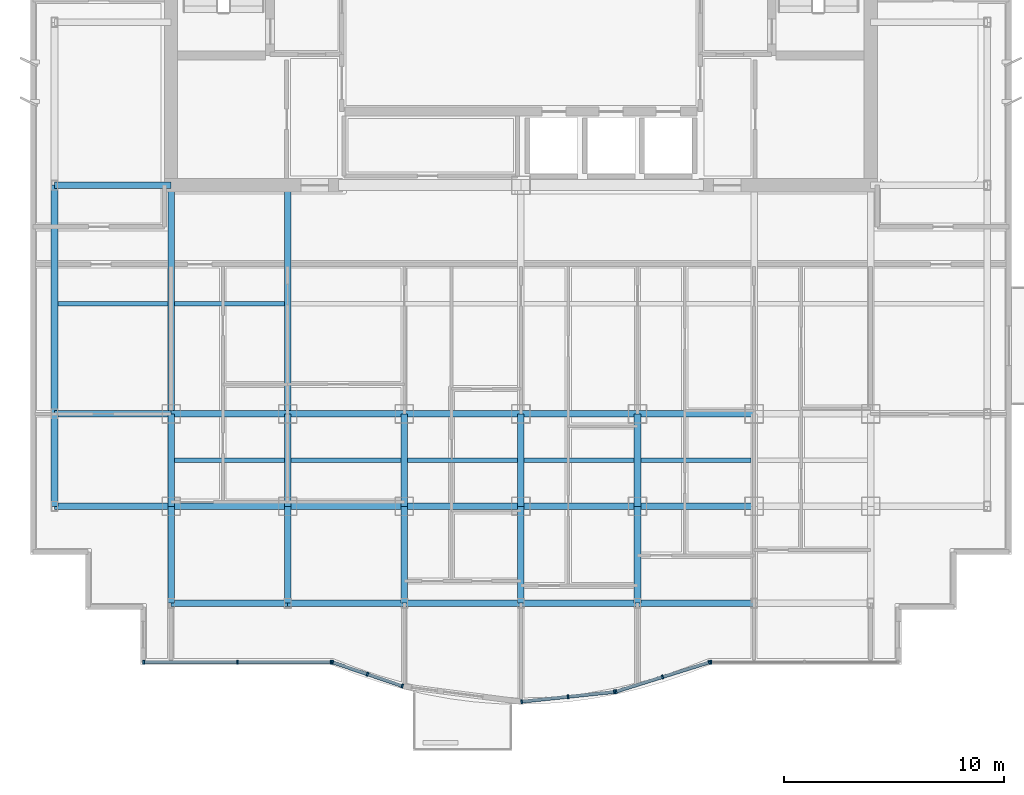
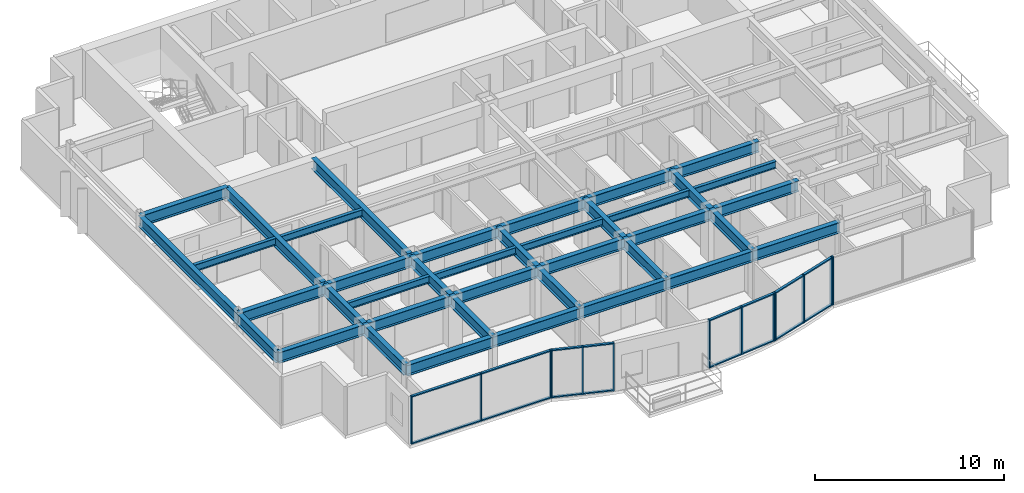
# One storey, part 2 of 11: 39 beams, 29 members, 5 elements without a shape of their own.
"""IFC4 building model written with IfcOpenShell, lengths in metres."""

from ifc_helpers import new_model, si_unit, direction, frame, origin, origin_2d, place, context, subcontext, project, spatial, rectangle, i_section, extrude, source, transform, mapped, material, layer, layer_set, material_profile, profile_set, type_object, element, aggregate, save


model = new_model("IFC4")

# Units and contexts
model_context = context("Model", 3, precision=1e-05, world=origin(), true_north=direction((0.0, 1.0)))
body_context = subcontext(model_context, "Body", "Model", "MODEL_VIEW")
ifc_project = project(units=[si_unit("LENGTHUNIT", "METRE"), si_unit("AREAUNIT", "SQUARE_METRE"), si_unit("VOLUMEUNIT", "CUBIC_METRE"), si_unit("PLANEANGLEUNIT", "RADIAN"), si_unit("MASSUNIT", "GRAM", prefix="KILO")], contexts=[model_context])

# Site, building, storey
site_placement = place(None, origin())
site = spatial("IfcSite", under=ifc_project, at=site_placement, CompositionType="ELEMENT")
building_placement = place(site_placement, origin())
building = spatial("IfcBuilding", under=site, at=building_placement, Name="Qianlan Lanfeng Residences", CompositionType="ELEMENT")
storey_placement = place(building_placement, frame((0.0, 0.0, 168.89990234375)))
storey = spatial("IfcBuildingStorey", under=building, at=storey_placement, Name="L46", CompositionType="ELEMENT", Elevation=168.89990234375)

# Beams
ifc_material_1 = material(Name="Steel SN490B", Category="steel")
ifc_material_profile_1 = material_profile(ifc_material_1, i_section(OverallWidth=0.300048828125, OverallDepth=0.699951171875, WebThickness=0.012939453125, FlangeThickness=0.02392578125, at=origin_2d()), Name="H 700x300x13x24")
ifc_profile_set_1 = profile_set([ifc_material_profile_1], Name="Steel SN490B")
beam_type_1 = type_object("IfcBeamType", Name="G-750", PredefinedType="BEAM", material=ifc_profile_set_1)
beam_1_placement = place(storey_placement, frame((5.300048828125, 10.60009765625, 2.75), z_axis=(1.0, 0.0, 0.0), x_axis=(0.0, 1.0, 0.0)))
element("IfcBeam", 1, at=beam_1_placement, inside=storey, type_object=beam_type_1, Name="Structural beam G-750", PredefinedType="BEAM", context=body_context, shape_type="SweptSolid", body=[
    extrude(i_section(OverallWidth=0.300048828125, OverallDepth=0.699951171875, WebThickness=0.012939453125, FlangeThickness=0.02392578125, at=origin_2d()), origin(), (0.0, 0.0, 1.0), 5.300048828125),
])
beam_2_placement = place(storey_placement, frame((10.60009765625, 10.60009765625, 2.75), z_axis=(1.0, 0.0, 0.0), x_axis=(0.0, 1.0, 0.0)))
element("IfcBeam", 2, at=beam_2_placement, inside=storey, type_object=beam_type_1, Name="Structural beam G-750", PredefinedType="BEAM", context=body_context, shape_type="SweptSolid", body=[
    extrude(i_section(OverallWidth=0.300048828125, OverallDepth=0.699951171875, WebThickness=0.012939453125, FlangeThickness=0.02392578125, at=origin_2d()), origin(), (0.0, 0.0, 1.0), 5.2998046875),
])
for number, where, z_axis, x_axis, name in (
    (3, (15.89990234375, 10.60009765625, 2.75), (1.0, 0.0, 0.0), (0.0, 1.0, 0.0), "Structural beam G-750"),
    (4, (21.199951171875, 10.60009765625, 2.75), (1.0, 0.0, 0.0), (0.0, 1.0, 0.0), "Structural beam G-750"),
    (5, (26.5, 10.60009765625, 2.75), (1.0, 0.0, 0.0), (0.0, 1.0, 0.0), "Structural beam G-750"),
    (6, (31.800048828125, 10.60009765625, 2.75), (1.0, 0.0, 0.0), (0.0, 1.0, 0.0), "Structural beam G-750"),
    (7, (5.300048828125, 14.800048828125, 2.75), (1.0, 0.0, 0.0), (0.0, 1.0, 0.0), "Structural beam G-750"),
):
    element("IfcBeam", number, at=place(storey_placement, frame(where, z_axis=z_axis, x_axis=x_axis)), inside=storey, type_object=beam_type_1, Name=name, PredefinedType="BEAM", context=body_context, shape_type="SweptSolid", body=[
        extrude(i_section(OverallWidth=0.300048828125, OverallDepth=0.699951171875, WebThickness=0.012939453125, FlangeThickness=0.02392578125, at=origin_2d()), origin(), (0.0, 0.0, 1.0), 5.300048828125),
    ])
beam_3_placement = place(storey_placement, frame((10.60009765625, 14.800048828125, 2.75), z_axis=(1.0, 0.0, 0.0), x_axis=(0.0, 1.0, 0.0)))
element("IfcBeam", 8, at=beam_3_placement, inside=storey, type_object=beam_type_1, Name="Structural beam G-750", PredefinedType="BEAM", context=body_context, shape_type="SweptSolid", body=[
    extrude(i_section(OverallWidth=0.300048828125, OverallDepth=0.699951171875, WebThickness=0.012939453125, FlangeThickness=0.02392578125, at=origin_2d()), origin(), (0.0, 0.0, 1.0), 5.2998046875),
])
for number, where, z_axis, x_axis, name in (
    (9, (15.89990234375, 14.800048828125, 2.75), (1.0, 0.0, 0.0), (0.0, 1.0, 0.0), "Structural beam G-750"),
    (10, (21.199951171875, 14.800048828125, 2.75), (1.0, 0.0, 0.0), (0.0, 1.0, 0.0), "Structural beam G-750"),
    (11, (26.5, 14.800048828125, 2.75), (1.0, 0.0, 0.0), (0.0, 1.0, 0.0), "Structural beam G-750"),
    (12, (31.800048828125, 14.800048828125, 2.75), (1.0, 0.0, 0.0), (0.0, 1.0, 0.0), "Structural beam G-750"),
    (13, (5.300048828125, 25.199951171875, 2.75), (1.0, 0.0, 0.0), (0.0, 1.0, 0.0), "Structural beam G-750"),
):
    element("IfcBeam", number, at=place(storey_placement, frame(where, z_axis=z_axis, x_axis=x_axis)), inside=storey, type_object=beam_type_1, Name=name, PredefinedType="BEAM", context=body_context, shape_type="SweptSolid", body=[
        extrude(i_section(OverallWidth=0.300048828125, OverallDepth=0.699951171875, WebThickness=0.012939453125, FlangeThickness=0.02392578125, at=origin_2d()), origin(), (0.0, 0.0, 1.0), 5.300048828125),
    ])
beam_4_placement = place(storey_placement, frame((10.60009765625, 6.199951171875, 2.75), z_axis=(0.0, 1.0, 0.0), x_axis=(-1.0, 0.0, 0.0)))
element("IfcBeam", 14, at=beam_4_placement, inside=storey, type_object=beam_type_1, Name="Structural beam G-750", PredefinedType="BEAM", context=body_context, shape_type="SweptSolid", body=[
    extrude(i_section(OverallWidth=0.300048828125, OverallDepth=0.699951171875, WebThickness=0.012939453125, FlangeThickness=0.02392578125, at=origin_2d()), origin(), (0.0, 0.0, 1.0), 4.400146484375),
])
beam_5_placement = place(storey_placement, frame((10.60009765625, 10.60009765625, 2.75), z_axis=(0.0, 1.0, 0.0), x_axis=(-1.0, 0.0, 0.0)))
element("IfcBeam", 15, at=beam_5_placement, inside=storey, type_object=beam_type_1, Name="Structural beam G-750", PredefinedType="BEAM", context=body_context, shape_type="SweptSolid", body=[
    extrude(i_section(OverallWidth=0.300048828125, OverallDepth=0.699951171875, WebThickness=0.012939453125, FlangeThickness=0.02392578125, at=origin_2d()), origin(), (0.0, 0.0, 1.0), 4.199951171875),
])
beam_6_placement = place(storey_placement, frame((10.60009765625, 14.800048828125, 2.75), z_axis=(0.0, 1.0, 0.0), x_axis=(-1.0, 0.0, 0.0)))
element("IfcBeam", 16, at=beam_6_placement, inside=storey, type_object=beam_type_1, Name="Structural beam G-750", PredefinedType="BEAM", context=body_context, shape_type="SweptSolid", body=[
    extrude(i_section(OverallWidth=0.300048828125, OverallDepth=0.699951171875, WebThickness=0.012939453125, FlangeThickness=0.02392578125, at=origin_2d()), origin(), (0.0, 0.0, 1.0), 10.39990234375),
])
beam_7_placement = place(storey_placement, frame((15.89990234375, 6.199951171875, 2.75), z_axis=(0.0, 1.0, 0.0), x_axis=(-1.0, 0.0, 0.0)))
element("IfcBeam", 17, at=beam_7_placement, inside=storey, type_object=beam_type_1, Name="Structural beam G-750", PredefinedType="BEAM", context=body_context, shape_type="SweptSolid", body=[
    extrude(i_section(OverallWidth=0.300048828125, OverallDepth=0.699951171875, WebThickness=0.012939453125, FlangeThickness=0.02392578125, at=origin_2d()), origin(), (0.0, 0.0, 1.0), 4.400146484375),
])
beam_8_placement = place(storey_placement, frame((15.89990234375, 10.60009765625, 2.75), z_axis=(0.0, 1.0, 0.0), x_axis=(-1.0, 0.0, 0.0)))
element("IfcBeam", 18, at=beam_8_placement, inside=storey, type_object=beam_type_1, Name="Structural beam G-750", PredefinedType="BEAM", context=body_context, shape_type="SweptSolid", body=[
    extrude(i_section(OverallWidth=0.300048828125, OverallDepth=0.699951171875, WebThickness=0.012939453125, FlangeThickness=0.02392578125, at=origin_2d()), origin(), (0.0, 0.0, 1.0), 4.199951171875),
])
beam_9_placement = place(storey_placement, frame((15.89990234375, 14.800048828125, 2.75), z_axis=(0.0, 1.0, 0.0), x_axis=(-1.0, 0.0, 0.0)))
element("IfcBeam", 19, at=beam_9_placement, inside=storey, type_object=beam_type_1, Name="Structural beam G-750", PredefinedType="BEAM", context=body_context, shape_type="SweptSolid", body=[
    extrude(i_section(OverallWidth=0.300048828125, OverallDepth=0.699951171875, WebThickness=0.012939453125, FlangeThickness=0.02392578125, at=origin_2d()), origin(), (0.0, 0.0, 1.0), 10.39990234375),
])
beam_10_placement = place(storey_placement, frame((21.199951171875, 6.199951171875, 2.75), z_axis=(0.0, 1.0, 0.0), x_axis=(-1.0, 0.0, 0.0)))
element("IfcBeam", 20, at=beam_10_placement, inside=storey, type_object=beam_type_1, Name="Structural beam G-750", PredefinedType="BEAM", context=body_context, shape_type="SweptSolid", body=[
    extrude(i_section(OverallWidth=0.300048828125, OverallDepth=0.699951171875, WebThickness=0.012939453125, FlangeThickness=0.02392578125, at=origin_2d()), origin(), (0.0, 0.0, 1.0), 4.400146484375),
])
beam_11_placement = place(storey_placement, frame((21.199951171875, 10.60009765625, 2.75), z_axis=(0.0, 1.0, 0.0), x_axis=(-1.0, 0.0, 0.0)))
element("IfcBeam", 21, at=beam_11_placement, inside=storey, type_object=beam_type_1, Name="Structural beam G-750", PredefinedType="BEAM", context=body_context, shape_type="SweptSolid", body=[
    extrude(i_section(OverallWidth=0.300048828125, OverallDepth=0.699951171875, WebThickness=0.012939453125, FlangeThickness=0.02392578125, at=origin_2d()), origin(), (0.0, 0.0, 1.0), 4.199951171875),
])
beam_12_placement = place(storey_placement, frame((26.5, 6.199951171875, 2.75), z_axis=(0.0, 1.0, 0.0), x_axis=(-1.0, 0.0, 0.0)))
element("IfcBeam", 22, at=beam_12_placement, inside=storey, type_object=beam_type_1, Name="Structural beam G-750", PredefinedType="BEAM", context=body_context, shape_type="SweptSolid", body=[
    extrude(i_section(OverallWidth=0.300048828125, OverallDepth=0.699951171875, WebThickness=0.012939453125, FlangeThickness=0.02392578125, at=origin_2d()), origin(), (0.0, 0.0, 1.0), 4.400146484375),
])
beam_13_placement = place(storey_placement, frame((26.5, 10.60009765625, 2.75), z_axis=(0.0, 1.0, 0.0), x_axis=(-1.0, 0.0, 0.0)))
element("IfcBeam", 23, at=beam_13_placement, inside=storey, type_object=beam_type_1, Name="Structural beam G-750", PredefinedType="BEAM", context=body_context, shape_type="SweptSolid", body=[
    extrude(i_section(OverallWidth=0.300048828125, OverallDepth=0.699951171875, WebThickness=0.012939453125, FlangeThickness=0.02392578125, at=origin_2d()), origin(), (0.0, 0.0, 1.0), 4.199951171875),
])
beam_14_placement = place(storey_placement, frame((31.800048828125, 6.199951171875, 2.75), z_axis=(0.0, 1.0, 0.0), x_axis=(-1.0, 0.0, 0.0)))
element("IfcBeam", 24, at=beam_14_placement, inside=storey, type_object=beam_type_1, Name="Structural beam G-750", PredefinedType="BEAM", context=body_context, shape_type="SweptSolid", body=[
    extrude(i_section(OverallWidth=0.300048828125, OverallDepth=0.699951171875, WebThickness=0.012939453125, FlangeThickness=0.02392578125, at=origin_2d()), origin(), (0.0, 0.0, 1.0), 4.400146484375),
])
beam_15_placement = place(storey_placement, frame((31.800048828125, 10.60009765625, 2.75), z_axis=(0.0, 1.0, 0.0), x_axis=(-1.0, 0.0, 0.0)))
element("IfcBeam", 25, at=beam_15_placement, inside=storey, type_object=beam_type_1, Name="Structural beam G-750", PredefinedType="BEAM", context=body_context, shape_type="SweptSolid", body=[
    extrude(i_section(OverallWidth=0.300048828125, OverallDepth=0.699951171875, WebThickness=0.012939453125, FlangeThickness=0.02392578125, at=origin_2d()), origin(), (0.0, 0.0, 1.0), 4.199951171875),
])
ifc_material_profile_2 = material_profile(ifc_material_1, i_section(OverallWidth=0.199951171875, OverallDepth=0.449951171875, WebThickness=0.009033203125, FlangeThickness=0.013916015625, at=origin_2d()), Name="H 450x200x9x14")
ifc_profile_set_2 = profile_set([ifc_material_profile_2], Name="Steel SN490B")
beam_type_2 = type_object("IfcBeamType", Name="J-450", PredefinedType="JOIST", material=ifc_profile_set_2)
for number, where, z_axis, x_axis, name in (
    (26, (10.75, 12.699951171875, 2.875), (1.0, 0.0, 0.0), (0.0, 1.0, 0.0), "Structural beam J-450"),
    (27, (16.050048828125, 12.699951171875, 2.875), (1.0, 0.0, 0.0), (0.0, 1.0, 0.0), "Structural beam J-450"),
    (28, (21.35009765625, 12.699951171875, 2.875), (1.0, 0.0, 0.0), (0.0, 1.0, 0.0), "Structural beam J-450"),
    (29, (26.64990234375, 12.699951171875, 2.875), (1.0, 0.0, 0.0), (0.0, 1.0, 0.0), "Structural beam J-450"),
    (30, (31.949951171875, 12.699951171875, 2.875), (1.0, 0.0, 0.0), (0.0, 1.0, 0.0), "Structural beam J-450"),
    (31, (5.449951171875, 19.800048828125, 2.875), (1.0, 0.0, 0.0), (0.0, 1.0, 0.0), "Structural beam J-450"),
    (32, (10.75, 19.800048828125, 2.875), (1.0, 0.0, 0.0), (0.0, 1.0, 0.0), "Structural beam J-450"),
):
    element("IfcBeam", number, at=place(storey_placement, frame(where, z_axis=z_axis, x_axis=x_axis)), inside=storey, type_object=beam_type_2, Name=name, PredefinedType="JOIST", context=body_context, shape_type="SweptSolid", body=[
        extrude(i_section(OverallWidth=0.199951171875, OverallDepth=0.449951171875, WebThickness=0.009033203125, FlangeThickness=0.013916015625, at=origin_2d()), origin(), (0.0, 0.0, 1.0), 5.0),
    ])
ifc_material_profile_3 = material_profile(ifc_material_1, i_section(OverallWidth=0.300048828125, OverallDepth=0.699951171875, WebThickness=0.012939453125, FlangeThickness=0.02392578125, at=origin_2d()), Name="H 700x300x13x24")
ifc_profile_set_3 = profile_set([ifc_material_profile_3], Name="Steel SN490B")
beam_type_3 = type_object("IfcBeamType", Name="SG-750", PredefinedType="SPANDREL", material=ifc_profile_set_3)
beam_16_placement = place(storey_placement, frame((10.60009765625, 6.199951171875, 2.739990234375), z_axis=(1.0, 0.0, 0.0), x_axis=(0.0, 1.0, 0.0)))
element("IfcBeam", 33, at=beam_16_placement, inside=storey, type_object=beam_type_3, Name="Structural beam SG-750", PredefinedType="SPANDREL", context=body_context, shape_type="SweptSolid", body=[
    extrude(i_section(OverallWidth=0.300048828125, OverallDepth=0.699951171875, WebThickness=0.012939453125, FlangeThickness=0.02392578125, at=origin_2d()), origin(), (0.0, 0.0, 1.0), 5.2998046875),
])
for number, where, z_axis, x_axis, name in (
    (34, (15.89990234375, 6.199951171875, 2.739990234375), (1.0, 0.0, 0.0), (0.0, 1.0, 0.0), "Structural beam SG-750"),
    (35, (21.199951171875, 6.199951171875, 2.739990234375), (1.0, 0.0, 0.0), (0.0, 1.0, 0.0), "Structural beam SG-750"),
    (36, (26.5, 6.199951171875, 2.739990234375), (1.0, 0.0, 0.0), (0.0, 1.0, 0.0), "Structural beam SG-750"),
    (37, (31.800048828125, 6.199951171875, 2.739990234375), (1.0, 0.0, 0.0), (0.0, 1.0, 0.0), "Structural beam SG-750"),
):
    element("IfcBeam", number, at=place(storey_placement, frame(where, z_axis=z_axis, x_axis=x_axis)), inside=storey, type_object=beam_type_3, Name=name, PredefinedType="SPANDREL", context=body_context, shape_type="SweptSolid", body=[
        extrude(i_section(OverallWidth=0.300048828125, OverallDepth=0.699951171875, WebThickness=0.012939453125, FlangeThickness=0.02392578125, at=origin_2d()), origin(), (0.0, 0.0, 1.0), 5.300048828125),
    ])
beam_17_placement = place(storey_placement, frame((5.300048828125, 10.60009765625, 2.739990234375), z_axis=(0.0, 1.0, 0.0), x_axis=(-1.0, 0.0, 0.0)))
element("IfcBeam", 38, at=beam_17_placement, inside=storey, type_object=beam_type_3, Name="Structural beam SG-750", PredefinedType="SPANDREL", context=body_context, shape_type="SweptSolid", body=[
    extrude(i_section(OverallWidth=0.300048828125, OverallDepth=0.699951171875, WebThickness=0.012939453125, FlangeThickness=0.02392578125, at=origin_2d()), origin(), (0.0, 0.0, 1.0), 4.199951171875),
])
beam_18_placement = place(storey_placement, frame((5.300048828125, 14.800048828125, 2.739990234375), z_axis=(0.0, 1.0, 0.0), x_axis=(-1.0, 0.0, 0.0)))
element("IfcBeam", 39, at=beam_18_placement, inside=storey, type_object=beam_type_3, Name="Structural beam SG-750", PredefinedType="SPANDREL", context=body_context, shape_type="SweptSolid", body=[
    extrude(i_section(OverallWidth=0.300048828125, OverallDepth=0.699951171875, WebThickness=0.012939453125, FlangeThickness=0.02392578125, at=origin_2d()), origin(), (0.0, 0.0, 1.0), 10.39990234375),
])

# Curtain wall, members
ifc_material_2 = material(Name="Anodised Bronze Aluminium 6063-T6", Category="aluminium")
ifc_layer = layer(ifc_material_2, 0.219970703125)
ifc_layer_set = layer_set([ifc_layer], Name="Anodised Bronze Aluminium 6063-T6")
curtain_wall_type = type_object("IfcCurtainWallType", Name="CW-04", PredefinedType="NOTDEFINED", material=ifc_layer_set)
curtain_wall_1_placement = place(storey_placement, origin())
curtain_wall_1 = element("IfcCurtainWall", 40, at=curtain_wall_1_placement, inside=storey, type_object=curtain_wall_type, Name="L46 Unitised Curtain Wall CWR-L46-01 (CW-04)", PredefinedType="NOTDEFINED")
ifc_material_profile_4 = material_profile(ifc_material_2, rectangle(XDim=0.074951171875, YDim=0.14990234375, at=origin_2d()), Name="ALU TRANSOM 75x150")
ifc_profile_set_4 = profile_set([ifc_material_profile_4], Name="Anodised Bronze Aluminium 6063-T6")
member_type_1 = type_object("IfcMemberType", Name="CWT-150", PredefinedType="USERDEFINED", material=ifc_profile_set_4)
shared_shape_1 = source(origin(), body_context, "Body", "SweptSolid", [
    extrude(rectangle(XDim=0.074951171875, YDim=0.14990234375, at=origin_2d()), origin(), (0.0, 0.0, 1.0), 4.178955078125),
])
member_1_placement = place(storey_placement, frame((9.39501953125, 3.52001953125, 0.03759765625), z_axis=(1.0, 0.0, 0.0), x_axis=(0.0, 0.0, 1.0)))
member_1 = element("IfcMember", 41, at=member_1_placement, type_object=member_type_1, Name="CWR-L46-01 Transom 1-BOT", ObjectType="TRANSOM", PredefinedType="USERDEFINED", context=body_context, shape_type="MappedRepresentation", body=[
    mapped(shared_shape_1, transform((0.0, 0.0, 0.0), scale=1.0)),
])
member_2_placement = place(storey_placement, frame((9.39501953125, 3.52001953125, 3.0625), z_axis=(1.0, 0.0, 0.0), x_axis=(0.0, 0.0, 1.0)))
member_2 = element("IfcMember", 42, at=member_2_placement, type_object=member_type_1, Name="CWR-L46-01 Transom 1-TOP", ObjectType="TRANSOM", PredefinedType="USERDEFINED", context=body_context, shape_type="MappedRepresentation", body=[
    mapped(shared_shape_1, transform((0.0, 0.0, 0.0), scale=1.0)),
])
member_3_placement = place(storey_placement, frame((13.64892578125, 3.52001953125, 0.03759765625), z_axis=(1.0, 0.0, 0.0), x_axis=(0.0, 0.0, 1.0)))
member_3 = element("IfcMember", 43, at=member_3_placement, type_object=member_type_1, Name="CWR-L46-01 Transom 2-BOT", ObjectType="TRANSOM", PredefinedType="USERDEFINED", context=body_context, shape_type="MappedRepresentation", body=[
    mapped(shared_shape_1, transform((0.0, 0.0, 0.0), scale=1.0)),
])
member_4_placement = place(storey_placement, frame((13.64892578125, 3.52001953125, 3.0625), z_axis=(1.0, 0.0, 0.0), x_axis=(0.0, 0.0, 1.0)))
member_4 = element("IfcMember", 44, at=member_4_placement, type_object=member_type_1, Name="CWR-L46-01 Transom 2-TOP", ObjectType="TRANSOM", PredefinedType="USERDEFINED", context=body_context, shape_type="MappedRepresentation", body=[
    mapped(shared_shape_1, transform((0.0, 0.0, 0.0), scale=1.0)),
])

curtain_wall_2_placement = place(storey_placement, origin())
curtain_wall_2 = element("IfcCurtainWall", 45, at=curtain_wall_2_placement, inside=storey, type_object=curtain_wall_type, Name="L46 Unitised Curtain Wall CWR-L46-02 (CW-04)", PredefinedType="NOTDEFINED")
shared_shape_2 = source(origin(), body_context, "Body", "SweptSolid", [
    extrude(rectangle(XDim=0.074951171875, YDim=0.14990234375, at=origin_2d()), origin(), (0.0, 0.0, 1.0), 1.597900390625),
])
member_5_placement = place(storey_placement, frame((17.97412109375, 3.495849609375, 0.03759765625), z_axis=(0.946818368584, -0.321768514481, 0.0), x_axis=(0.0, 0.0, 1.0)))
member_5 = element("IfcMember", 46, at=member_5_placement, type_object=member_type_1, Name="CWR-L46-02 Transom 1-BOT", ObjectType="TRANSOM", PredefinedType="USERDEFINED", context=body_context, shape_type="MappedRepresentation", body=[
    mapped(shared_shape_2, transform((0.0, 0.0, 0.0), scale=1.0)),
])
member_6_placement = place(storey_placement, frame((17.97412109375, 3.495849609375, 3.0625), z_axis=(0.946818368584, -0.321768514481, 0.0), x_axis=(0.0, 0.0, 1.0)))
member_6 = element("IfcMember", 47, at=member_6_placement, type_object=member_type_1, Name="CWR-L46-02 Transom 1-TOP", ObjectType="TRANSOM", PredefinedType="USERDEFINED", context=body_context, shape_type="MappedRepresentation", body=[
    mapped(shared_shape_2, transform((0.0, 0.0, 0.0), scale=1.0)),
])
member_7_placement = place(storey_placement, frame((19.55810546875, 2.95751953125, 0.03759765625), z_axis=(0.94677181357, -0.321905472195, 0.0), x_axis=(0.0, 0.0, 1.0)))
member_7 = element("IfcMember", 48, at=member_7_placement, type_object=member_type_1, Name="CWR-L46-02 Transom 2-BOT", ObjectType="TRANSOM", PredefinedType="USERDEFINED", context=body_context, shape_type="MappedRepresentation", body=[
    mapped(shared_shape_2, transform((0.0, 0.0, 0.0), scale=1.0)),
])
member_8_placement = place(storey_placement, frame((19.55810546875, 2.95751953125, 3.0625), z_axis=(0.94677181357, -0.321905472195, 0.0), x_axis=(0.0, 0.0, 1.0)))
member_8 = element("IfcMember", 49, at=member_8_placement, type_object=member_type_1, Name="CWR-L46-02 Transom 2-TOP", ObjectType="TRANSOM", PredefinedType="USERDEFINED", context=body_context, shape_type="MappedRepresentation", body=[
    mapped(shared_shape_2, transform((0.0, 0.0, 0.0), scale=1.0)),
])

curtain_wall_3_placement = place(storey_placement, origin())
curtain_wall_3 = element("IfcCurtainWall", 50, at=curtain_wall_3_placement, inside=storey, type_object=curtain_wall_type, Name="L46 Unitised Curtain Wall CWR-L46-03 (CW-04)", PredefinedType="NOTDEFINED")
shared_shape_3 = source(origin(), body_context, "Body", "SweptSolid", [
    extrude(rectangle(XDim=0.074951171875, YDim=0.14990234375, at=origin_2d()), origin(), (0.0, 0.0, 1.0), 2.04150390625),
])
member_9_placement = place(storey_placement, frame((26.57470703125, 1.727783203125, 0.03759765625), z_axis=(0.994573388245, 0.104037374988, 0.0), x_axis=(0.0, 0.0, 1.0)))
member_9 = element("IfcMember", 51, at=member_9_placement, type_object=member_type_1, Name="CWR-L46-03 Transom 1-BOT", ObjectType="TRANSOM", PredefinedType="USERDEFINED", context=body_context, shape_type="MappedRepresentation", body=[
    mapped(shared_shape_3, transform((0.0, 0.0, 0.0), scale=1.0)),
])
member_10_placement = place(storey_placement, frame((26.57470703125, 1.727783203125, 3.0625), z_axis=(0.994573388245, 0.104037374988, 0.0), x_axis=(0.0, 0.0, 1.0)))
member_10 = element("IfcMember", 52, at=member_10_placement, type_object=member_type_1, Name="CWR-L46-03 Transom 1-TOP", ObjectType="TRANSOM", PredefinedType="USERDEFINED", context=body_context, shape_type="MappedRepresentation", body=[
    mapped(shared_shape_3, transform((0.0, 0.0, 0.0), scale=1.0)),
])
shared_shape_4 = source(origin(), body_context, "Body", "SweptSolid", [
    extrude(rectangle(XDim=0.074951171875, YDim=0.14990234375, at=origin_2d()), origin(), (0.0, 0.0, 1.0), 2.041748046875),
])
member_11_placement = place(storey_placement, frame((28.6796875, 1.947998046875, 0.03759765625), z_axis=(0.994587046158, 0.103906725548, 0.0), x_axis=(0.0, 0.0, 1.0)))
member_11 = element("IfcMember", 53, at=member_11_placement, type_object=member_type_1, Name="CWR-L46-03 Transom 2-BOT", ObjectType="TRANSOM", PredefinedType="USERDEFINED", context=body_context, shape_type="MappedRepresentation", body=[
    mapped(shared_shape_4, transform((0.0, 0.0, 0.0), scale=1.0)),
])
member_12_placement = place(storey_placement, frame((28.6796875, 1.947998046875, 3.0625), z_axis=(0.994587046158, 0.103906725548, 0.0), x_axis=(0.0, 0.0, 1.0)))
member_12 = element("IfcMember", 54, at=member_12_placement, type_object=member_type_1, Name="CWR-L46-03 Transom 2-TOP", ObjectType="TRANSOM", PredefinedType="USERDEFINED", context=body_context, shape_type="MappedRepresentation", body=[
    mapped(shared_shape_4, transform((0.0, 0.0, 0.0), scale=1.0)),
])

curtain_wall_4_placement = place(storey_placement, origin())
curtain_wall_4 = element("IfcCurtainWall", 55, at=curtain_wall_4_placement, inside=storey, type_object=curtain_wall_type, Name="L46 Unitised Curtain Wall CWR-L46-04 (CW-04)", PredefinedType="NOTDEFINED")
shared_shape_5 = source(origin(), body_context, "Body", "SweptSolid", [
    extrude(rectangle(XDim=0.074951171875, YDim=0.14990234375, at=origin_2d()), origin(), (0.0, 0.0, 1.0), 2.14697265625),
])
member_13_placement = place(storey_placement, frame((30.856689453125, 2.1904296875, 0.03759765625), z_axis=(0.954194238714, 0.299187825296, 0.0), x_axis=(0.0, 0.0, 1.0)))
member_13 = element("IfcMember", 56, at=member_13_placement, type_object=member_type_1, Name="CWR-L46-04 Transom 1-BOT", ObjectType="TRANSOM", PredefinedType="USERDEFINED", context=body_context, shape_type="MappedRepresentation", body=[
    mapped(shared_shape_5, transform((0.0, 0.0, 0.0), scale=1.0)),
])
member_14_placement = place(storey_placement, frame((30.856689453125, 2.1904296875, 3.0625), z_axis=(0.954194238714, 0.299187825296, 0.0), x_axis=(0.0, 0.0, 1.0)))
member_14 = element("IfcMember", 57, at=member_14_placement, type_object=member_type_1, Name="CWR-L46-04 Transom 1-TOP", ObjectType="TRANSOM", PredefinedType="USERDEFINED", context=body_context, shape_type="MappedRepresentation", body=[
    mapped(shared_shape_5, transform((0.0, 0.0, 0.0), scale=1.0)),
])
member_15_placement = place(storey_placement, frame((32.976806640625, 2.855224609375, 0.03759765625), z_axis=(0.954194238714, 0.299187825296, 0.0), x_axis=(0.0, 0.0, 1.0)))
member_15 = element("IfcMember", 58, at=member_15_placement, type_object=member_type_1, Name="CWR-L46-04 Transom 2-BOT", ObjectType="TRANSOM", PredefinedType="USERDEFINED", context=body_context, shape_type="MappedRepresentation", body=[
    mapped(shared_shape_5, transform((0.0, 0.0, 0.0), scale=1.0)),
])
member_16_placement = place(storey_placement, frame((32.976806640625, 2.855224609375, 3.0625), z_axis=(0.954194238714, 0.299187825296, 0.0), x_axis=(0.0, 0.0, 1.0)))
member_16 = element("IfcMember", 59, at=member_16_placement, type_object=member_type_1, Name="CWR-L46-04 Transom 2-TOP", ObjectType="TRANSOM", PredefinedType="USERDEFINED", context=body_context, shape_type="MappedRepresentation", body=[
    mapped(shared_shape_5, transform((0.0, 0.0, 0.0), scale=1.0)),
])

# Member
ifc_material_profile_5 = material_profile(ifc_material_2, rectangle(XDim=0.074951171875, YDim=0.179931640625, at=origin_2d()), Name="ALU MULLION 75x180")
ifc_profile_set_5 = profile_set([ifc_material_profile_5], Name="Anodised Bronze Aluminium 6063-T6")
member_type_2 = type_object("IfcMemberType", Name="CWM-180", PredefinedType="MULLION", material=ifc_profile_set_5)
shared_shape_6 = source(origin(), body_context, "Body", "SweptSolid", [
    extrude(rectangle(XDim=0.074951171875, YDim=0.179931640625, at=origin_2d()), origin(), (0.0, 0.0, 1.0), 3.10009765625),
])
member_17_placement = place(storey_placement, frame((9.357421875, 3.52001953125, 0.0), z_axis=(0.0, 0.0, 1.0), x_axis=(1.0, 0.0, 0.0)))
member_17 = element("IfcMember", 60, at=member_17_placement, type_object=member_type_2, Name="CWR-L46-01 Mullion 1", PredefinedType="MULLION", context=body_context, shape_type="MappedRepresentation", body=[
    mapped(shared_shape_6, transform((0.0, 0.0, 0.0), scale=1.0)),
])

member_18_placement = place(storey_placement, frame((13.611572265625, 3.52001953125, 0.0), z_axis=(0.0, 0.0, 1.0), x_axis=(1.0, 0.0, 0.0)))
member_18 = element("IfcMember", 61, at=member_18_placement, type_object=member_type_2, Name="CWR-L46-01 Mullion 2", PredefinedType="MULLION", context=body_context, shape_type="MappedRepresentation", body=[
    mapped(shared_shape_6, transform((0.0, 0.0, 0.0), scale=1.0)),
])

member_19_placement = place(storey_placement, frame((17.865478515625, 3.52001953125, 0.0), z_axis=(0.0, 0.0, 1.0), x_axis=(1.0, 0.0, 0.0)))
member_19 = element("IfcMember", 62, at=member_19_placement, type_object=member_type_2, Name="CWR-L46-01 Mullion 3", PredefinedType="MULLION", context=body_context, shape_type="MappedRepresentation", body=[
    mapped(shared_shape_6, transform((0.0, 0.0, 0.0), scale=1.0)),
])

aggregate(curtain_wall_1, [member_17, member_18, member_19, member_1, member_2, member_3, member_4])

member_20_placement = place(storey_placement, frame((17.9384765625, 3.5078125, 0.0), z_axis=(0.0, 0.0, 1.0), x_axis=(0.946795963885, -0.321834433787, 0.0)))
member_20 = element("IfcMember", 63, at=member_20_placement, type_object=member_type_2, Name="CWR-L46-02 Mullion 1", PredefinedType="MULLION", context=body_context, shape_type="MappedRepresentation", body=[
    mapped(shared_shape_6, transform((0.0, 0.0, 0.0), scale=1.0)),
])

member_21_placement = place(storey_placement, frame((19.5224609375, 2.969482421875, 0.0), z_axis=(0.0, 0.0, 1.0), x_axis=(0.946795963885, -0.321834433787, 0.0)))
member_21 = element("IfcMember", 64, at=member_21_placement, type_object=member_type_2, Name="CWR-L46-02 Mullion 2", PredefinedType="MULLION", context=body_context, shape_type="MappedRepresentation", body=[
    mapped(shared_shape_6, transform((0.0, 0.0, 0.0), scale=1.0)),
])

member_22_placement = place(storey_placement, frame((21.1064453125, 2.43115234375, 0.0), z_axis=(0.0, 0.0, 1.0), x_axis=(0.946795963885, -0.321834433787, 0.0)))
member_22 = element("IfcMember", 65, at=member_22_placement, type_object=member_type_2, Name="CWR-L46-02 Mullion 3", PredefinedType="MULLION", context=body_context, shape_type="MappedRepresentation", body=[
    mapped(shared_shape_6, transform((0.0, 0.0, 0.0), scale=1.0)),
])

aggregate(curtain_wall_2, [member_20, member_21, member_22, member_5, member_6, member_7, member_8])

member_23_placement = place(storey_placement, frame((26.537353515625, 1.723876953125, 0.0), z_axis=(0.0, 0.0, 1.0), x_axis=(0.994579031105, 0.103983416397, 0.0)))
member_23 = element("IfcMember", 66, at=member_23_placement, type_object=member_type_2, Name="CWR-L46-03 Mullion 1", PredefinedType="MULLION", context=body_context, shape_type="MappedRepresentation", body=[
    mapped(shared_shape_6, transform((0.0, 0.0, 0.0), scale=1.0)),
])

member_24_placement = place(storey_placement, frame((28.642578125, 1.944091796875, 0.0), z_axis=(0.0, 0.0, 1.0), x_axis=(0.994579031105, 0.103983416397, 0.0)))
member_24 = element("IfcMember", 67, at=member_24_placement, type_object=member_type_2, Name="CWR-L46-03 Mullion 2", PredefinedType="MULLION", context=body_context, shape_type="MappedRepresentation", body=[
    mapped(shared_shape_6, transform((0.0, 0.0, 0.0), scale=1.0)),
])

member_25_placement = place(storey_placement, frame((30.747802734375, 2.1640625, 0.0), z_axis=(0.0, 0.0, 1.0), x_axis=(0.994579031105, 0.103983416397, 0.0)))
member_25 = element("IfcMember", 68, at=member_25_placement, type_object=member_type_2, Name="CWR-L46-03 Mullion 3", PredefinedType="MULLION", context=body_context, shape_type="MappedRepresentation", body=[
    mapped(shared_shape_6, transform((0.0, 0.0, 0.0), scale=1.0)),
])

aggregate(curtain_wall_3, [member_23, member_24, member_25, member_9, member_10, member_11, member_12])

member_26_placement = place(storey_placement, frame((30.82080078125, 2.17919921875, 0.0), z_axis=(0.0, 0.0, 1.0), x_axis=(0.954195954421, 0.299182353367, 0.0)))
member_26 = element("IfcMember", 69, at=member_26_placement, type_object=member_type_2, Name="CWR-L46-04 Mullion 1", PredefinedType="MULLION", context=body_context, shape_type="MappedRepresentation", body=[
    mapped(shared_shape_6, transform((0.0, 0.0, 0.0), scale=1.0)),
])

member_27_placement = place(storey_placement, frame((32.94091796875, 2.843994140625, 0.0), z_axis=(0.0, 0.0, 1.0), x_axis=(0.954195954421, 0.299182353367, 0.0)))
member_27 = element("IfcMember", 70, at=member_27_placement, type_object=member_type_2, Name="CWR-L46-04 Mullion 2", PredefinedType="MULLION", context=body_context, shape_type="MappedRepresentation", body=[
    mapped(shared_shape_6, transform((0.0, 0.0, 0.0), scale=1.0)),
])

member_28_placement = place(storey_placement, frame((35.061279296875, 3.5087890625, 0.0), z_axis=(0.0, 0.0, 1.0), x_axis=(0.954195954421, 0.299182353367, 0.0)))
member_28 = element("IfcMember", 71, at=member_28_placement, type_object=member_type_2, Name="CWR-L46-04 Mullion 3", PredefinedType="MULLION", context=body_context, shape_type="MappedRepresentation", body=[
    mapped(shared_shape_6, transform((0.0, 0.0, 0.0), scale=1.0)),
])

aggregate(curtain_wall_4, [member_26, member_27, member_28, member_13, member_14, member_15, member_16])

# Curtain wall, member
curtain_wall_5_placement = place(storey_placement, origin())
curtain_wall_5 = element("IfcCurtainWall", 72, at=curtain_wall_5_placement, inside=storey, type_object=curtain_wall_type, Name="L46 Unitised Curtain Wall CWR-L46-05 (CW-04)", PredefinedType="NOTDEFINED")
member_29_placement = place(storey_placement, frame((35.134521484375, 3.52001953125, 0.0), z_axis=(0.0, 0.0, 1.0), x_axis=(1.0, 0.0, 0.0)))
member_29 = element("IfcMember", 73, at=member_29_placement, type_object=member_type_2, Name="CWR-L46-05 Mullion 1", PredefinedType="MULLION", context=body_context, shape_type="MappedRepresentation", body=[
    mapped(shared_shape_6, transform((0.0, 0.0, 0.0), scale=1.0)),
])
aggregate(curtain_wall_5, [member_29])

save(model, "model.ifc")
